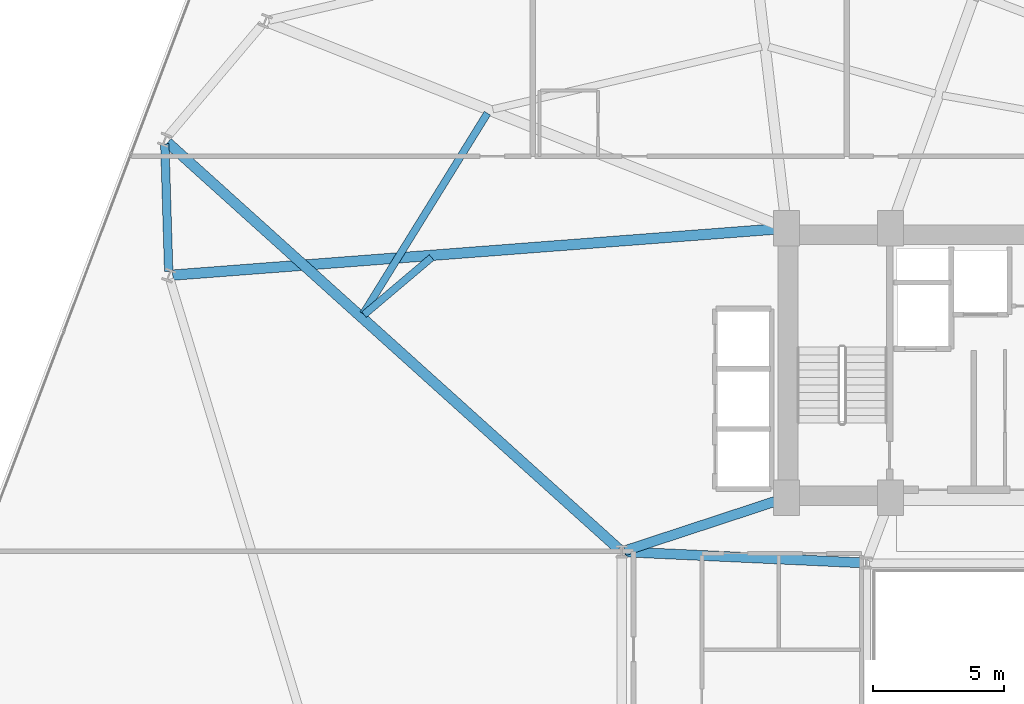
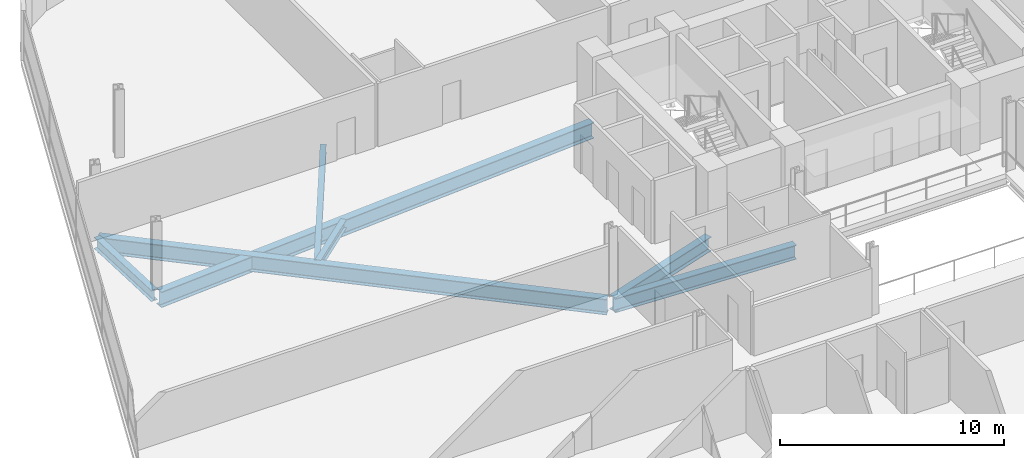
# One storey, part 7 of 26: 7 beams.
"""IFC4 building model written with IfcOpenShell, lengths in metres."""

from ifc_helpers import new_model, si_unit, direction, frame, origin, origin_2d, place, context, subcontext, project, spatial, i_section, extrude, material, material_profile, profile_set, type_object, element, save


model = new_model("IFC4")

# Units and contexts
model_context = context("Model", 3, precision=1e-05, world=origin(), true_north=direction((0.0, 1.0)))
body_context = subcontext(model_context, "Body", "Model", "MODEL_VIEW")
ifc_project = project(units=[si_unit("LENGTHUNIT", "METRE"), si_unit("AREAUNIT", "SQUARE_METRE"), si_unit("VOLUMEUNIT", "CUBIC_METRE"), si_unit("PLANEANGLEUNIT", "RADIAN"), si_unit("MASSUNIT", "GRAM", prefix="KILO")], contexts=[model_context])

# Site, building, storey
site_placement = place(None, origin())
site = spatial("IfcSite", under=ifc_project, at=site_placement, CompositionType="ELEMENT")
building_placement = place(site_placement, origin())
building = spatial("IfcBuilding", under=site, at=building_placement, Name="Varnelok Gate Tower", CompositionType="ELEMENT")
storey_placement = place(building_placement, frame((0.0, 0.0, 109.5)))
storey = spatial("IfcBuildingStorey", under=building, at=storey_placement, Name="L27", CompositionType="ELEMENT", Elevation=109.5)

# Beams
ifc_material = material(Name="Structural Steel ASTM A992 Grade 50", Category="steel")
ifc_material_profile_1 = material_profile(ifc_material, i_section(OverallWidth=0.280029296875, OverallDepth=0.462890625, WebThickness=0.0107421875, FlangeThickness=0.017333984375, FilletRadius=0.014892578125, at=origin_2d()), Name="W18X76")
ifc_profile_set_1 = profile_set([ifc_material_profile_1], Name="Structural Steel ASTM A992 Grade 50")
beam_type_1 = type_object("IfcBeamType", Name="BM-JST-W18X76", PredefinedType="JOIST", material=ifc_profile_set_1)
beam_1_placement = place(storey_placement, frame((19.262451171875, 43.44677734375, -0.4814453125), z_axis=(-0.526453342858, -0.850204021276, 0.0), x_axis=(0.850204021276, -0.526453342858, 0.0)))
element("IfcBeam", 1, at=beam_1_placement, inside=storey, type_object=beam_type_1, Name="L27 Sector Floor Joist 12", PredefinedType="JOIST", context=body_context, shape_type="SweptSolid", body=[
    extrude(i_section(OverallWidth=0.280029296875, OverallDepth=0.462890625, WebThickness=0.0107421875, FlangeThickness=0.017333984375, FilletRadius=0.014892578125, at=origin_2d()), origin(), (0.0, 0.0, 1.0), 9.023681640625),
])
beam_2_placement = place(storey_placement, frame((14.54541015625, 35.746337890625, -0.4814453125), z_axis=(0.763678970092, 0.64559618233, 0.0), x_axis=(-0.64559618233, 0.763678970092, 0.0)))
element("IfcBeam", 2, at=beam_2_placement, inside=storey, type_object=beam_type_1, Name="L27 Sector Floor Joist 13", PredefinedType="JOIST", context=body_context, shape_type="SweptSolid", body=[
    extrude(i_section(OverallWidth=0.280029296875, OverallDepth=0.462890625, WebThickness=0.0107421875, FlangeThickness=0.017333984375, FilletRadius=0.014892578125, at=origin_2d()), origin(), (0.0, 0.0, 1.0), 3.384521484375),
])
ifc_material_profile_2 = material_profile(ifc_material, i_section(OverallWidth=0.381103515625, OverallDepth=0.77294921875, WebThickness=0.0166015625, FlangeThickness=0.027099609375, FilletRadius=0.02197265625, at=origin_2d()), Name="W30X173")
ifc_profile_set_2 = profile_set([ifc_material_profile_2], Name="Structural Steel ASTM A992 Grade 50")
beam_type_2 = type_object("IfcBeamType", Name="BM-PRI-W30X173", PredefinedType="BEAM", material=ifc_profile_set_2)
beam_3_placement = place(storey_placement, frame((24.52001953125, 26.674560546875, -0.636474609375), z_axis=(0.99894427814, -0.045938319209, 0.0), x_axis=(0.045938319209, 0.99894427814, 0.0)))
element("IfcBeam", 3, at=beam_3_placement, inside=storey, type_object=beam_type_2, Name="L27 Core-Atrium Spine Beam 15", PredefinedType="BEAM", context=body_context, shape_type="SweptSolid", body=[
    extrude(i_section(OverallWidth=0.381103515625, OverallDepth=0.77294921875, WebThickness=0.0166015625, FlangeThickness=0.027099609375, FilletRadius=0.02197265625, at=origin_2d()), origin(), (0.0, 0.0, 1.0), 9.11962890625),
])
beam_4_placement = place(storey_placement, frame((24.513916015625, 26.717529296875, -0.636474609375), z_axis=(0.950041943788, 0.312122259768, 0.0), x_axis=(-0.312122259768, 0.950041943788, 0.0)))
element("IfcBeam", 4, at=beam_4_placement, inside=storey, type_object=beam_type_2, Name="L27 Core-Atrium Spine Beam 17", PredefinedType="BEAM", context=body_context, shape_type="SweptSolid", body=[
    extrude(i_section(OverallWidth=0.381103515625, OverallDepth=0.77294921875, WebThickness=0.0166015625, FlangeThickness=0.027099609375, FilletRadius=0.02197265625, at=origin_2d()), origin(), (0.0, 0.0, 1.0), 6.391357421875),
])
ifc_material_profile_3 = material_profile(ifc_material, i_section(OverallWidth=0.39892578125, OverallDepth=0.85498046875, WebThickness=0.018310546875, FlangeThickness=0.029296875, FilletRadius=0.02392578125, at=origin_2d()), Name="W33X201")
ifc_profile_set_3 = profile_set([ifc_material_profile_3], Name="Structural Steel ASTM A992 Grade 50")
beam_type_3 = type_object("IfcBeamType", Name="BM-PRI-W33X201", PredefinedType="BEAM", material=ifc_profile_set_3)
beam_5_placement = place(storey_placement, frame((24.28857421875, 26.780517578125, -0.677490234375), z_axis=(-0.742906696972, 0.669394980258, 0.0), x_axis=(-0.669394980258, -0.742906696972, 0.0)))
element("IfcBeam", 5, at=beam_5_placement, inside=storey, type_object=beam_type_3, Name="L27 Radial Floor Girder 15", PredefinedType="BEAM", context=body_context, shape_type="SweptSolid", body=[
    extrude(i_section(OverallWidth=0.39892578125, OverallDepth=0.85498046875, WebThickness=0.018310546875, FlangeThickness=0.029296875, FilletRadius=0.02392578125, at=origin_2d()), origin(), (0.0, 0.0, 1.0), 23.224609375),
])
beam_6_placement = place(storey_placement, frame((30.55029296875, 39.03857421875, -0.677490234375), z_axis=(-0.997095422745, -0.076162444427, 0.0), x_axis=(0.076162444427, -0.997095422745, 0.0)))
element("IfcBeam", 6, at=beam_6_placement, inside=storey, type_object=beam_type_3, Name="L27 Radial Floor Girder 16", PredefinedType="BEAM", context=body_context, shape_type="SweptSolid", body=[
    extrude(i_section(OverallWidth=0.39892578125, OverallDepth=0.85498046875, WebThickness=0.018310546875, FlangeThickness=0.029296875, FilletRadius=0.02392578125, at=origin_2d()), origin(), (0.0, 0.0, 1.0), 23.387451171875),
])
ifc_material_profile_4 = material_profile(ifc_material, i_section(OverallWidth=0.323974609375, OverallDepth=0.611083984375, WebThickness=0.0126953125, FlangeThickness=0.01904296875, FilletRadius=0.01806640625, at=origin_2d()), Name="W24X104")
ifc_profile_set_4 = profile_set([ifc_material_profile_4], Name="Structural Steel ASTM A992 Grade 50")
beam_type_4 = type_object("IfcBeamType", Name="BM-SPN-W24X104", PredefinedType="SPANDREL", material=ifc_profile_set_4)
beam_7_placement = place(storey_placement, frame((6.927978515625, 42.277587890625, -0.555419921875), z_axis=(0.030393553869, -0.999538009224, 0.0), x_axis=(0.999538009224, 0.030393553869, 0.0)))
element("IfcBeam", 7, at=beam_7_placement, inside=storey, type_object=beam_type_4, Name="L27 Perimeter Spandrel Beam 15", PredefinedType="SPANDREL", context=body_context, shape_type="SweptSolid", body=[
    extrude(i_section(OverallWidth=0.323974609375, OverallDepth=0.611083984375, WebThickness=0.0126953125, FlangeThickness=0.01904296875, FilletRadius=0.01806640625, at=origin_2d()), origin(), (0.0, 0.0, 1.0), 4.8837890625),
])

save(model, "model.ifc")
